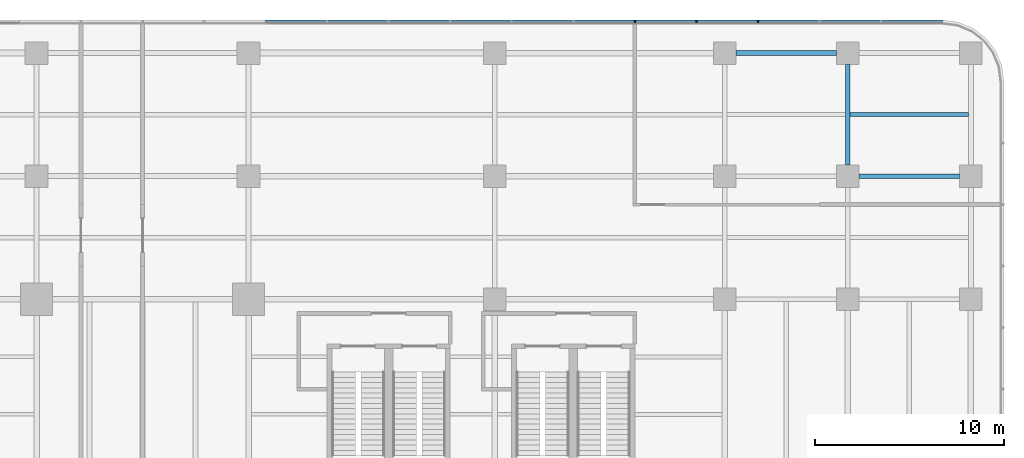
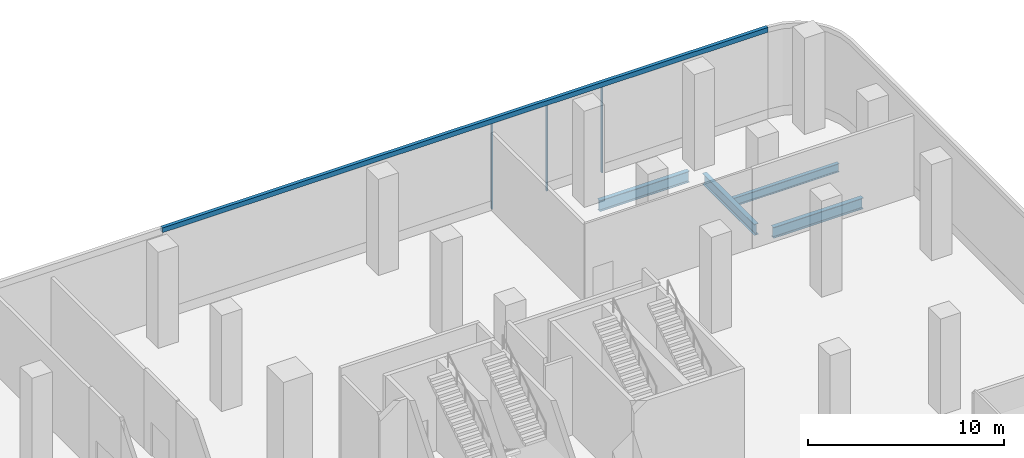
# One storey, part 29 of 41: 4 beams, 4 members, 1 element without a shape of its own.
"""IFC4 building model written with IfcOpenShell, lengths in metres."""

import ifcopenshell
import ifcopenshell.guid

model = None  # the IFC model being written
_history = None  # IfcOwnerHistory: only IFC2X3 demands one
_inside = {}  # id of a spatial element -> (the spatial element, [elements in it])
_under = {}  # id of a project, library or spatial element -> (it, [spatial elements below it])
_declared = {}  # id of a project -> (the project, [libraries it declares])
_typed = {}  # id of a type object -> (the type object, [elements of that type])
_made_of = {}  # id of a material, layer set ... -> (it, [elements and type objects made of it])


def new_model(schema):
    """Start an empty IFC model of exactly this schema.

    Asked for "IFC4X3", IfcOpenShell would pick the latest addendum, in which some entities
    have other attributes; the version numbers below select the first issue.
    IFC2X3 requires an IfcOwnerHistory on every rooted entity: one is made here for all.
    """
    global model, _history
    if schema == "IFC4X3":
        model = ifcopenshell.file(schema_version=(4, 3, 0, 0))
    else:
        model = ifcopenshell.file(schema=schema)
    _inside.clear()
    _under.clear()
    _declared.clear()
    _typed.clear()
    _made_of.clear()
    _history = None
    if model.schema == "IFC2X3":
        org = make("IfcOrganization", Name="unknown")
        user = make(
            "IfcPersonAndOrganization",
            ThePerson=make("IfcPerson", FamilyName="unknown"),
            TheOrganization=org,
        )
        app = make(
            "IfcApplication",
            ApplicationDeveloper=org,
            Version="unknown",
            ApplicationFullName="unknown",
            ApplicationIdentifier="unknown",
        )
        _history = make(
            "IfcOwnerHistory",
            OwningUser=user,
            OwningApplication=app,
            ChangeAction="ADDED",
            CreationDate=0,
        )
    return model


def make(cls, **values):
    """One entity of the class cls with the attributes given. An attribute that is None is left unset."""
    return model.create_entity(
        cls, **{name: value for name, value in values.items() if value is not None}
    )


def rooted(cls, **values):
    """An entity with a GlobalId (a new one), such as an element, a storey or a relation."""
    return make(cls, GlobalId=ifcopenshell.guid.new(), OwnerHistory=_history, **values)


def si_unit(unit_type, name, prefix=None):
    """IfcSIUnit, for example si_unit("LENGTHUNIT", "METRE", prefix="MILLI")."""
    return make("IfcSIUnit", UnitType=unit_type, Prefix=prefix, Name=name)


def assignment(units):
    """IfcUnitAssignment: the units of a project."""
    return None if units is None else make("IfcUnitAssignment", Units=units)


def point(xyz):
    """IfcCartesianPoint."""
    return None if xyz is None else make("IfcCartesianPoint", Coordinates=xyz)


def direction(xyz):
    """IfcDirection."""
    return None if xyz is None else make("IfcDirection", DirectionRatios=xyz)


def frame(location, z_axis=None, x_axis=None):
    """IfcAxis2Placement3D, a coordinate frame: its origin and axes. An axis left out is left unset."""
    return make(
        "IfcAxis2Placement3D",
        Location=point(location),
        Axis=direction(z_axis),
        RefDirection=direction(x_axis),
    )


def frame_2d(location, x_axis=None):
    """IfcAxis2Placement2D, a coordinate frame in the plane: its origin and x axis."""
    return make(
        "IfcAxis2Placement2D", Location=point(location), RefDirection=direction(x_axis)
    )


def origin():
    """The frame at (0, 0, 0) with its axes left unset."""
    return frame((0.0, 0.0, 0.0))


def origin_2d():
    """The frame at (0, 0) in the plane with its x axis left unset."""
    return frame_2d((0.0, 0.0))


def place(relative_to, where):
    """IfcLocalPlacement: puts the frame where relative to a parent placement (None: the world)."""
    return make(
        "IfcLocalPlacement", PlacementRelTo=relative_to, RelativePlacement=where
    )


def context(
    kind, dimensions, precision=None, world=None, true_north=None, identifier=None
):
    """IfcGeometricRepresentationContext, for example the 3D "Model" context."""
    return make(
        "IfcGeometricRepresentationContext",
        ContextIdentifier=identifier,
        ContextType=kind,
        CoordinateSpaceDimension=dimensions,
        Precision=precision,
        WorldCoordinateSystem=world,
        TrueNorth=true_north,
    )


def subcontext(parent, identifier, kind, view, scale=None):
    """IfcGeometricRepresentationSubContext, for example "Body" below "Model"."""
    return make(
        "IfcGeometricRepresentationSubContext",
        ContextIdentifier=identifier,
        ContextType=kind,
        ParentContext=parent,
        TargetScale=scale,
        TargetView=view,
    )


def project(units=None, contexts=None):
    """IfcProject with its units and contexts."""
    return rooted(
        "IfcProject",
        Name="project",
        RepresentationContexts=contexts,
        UnitsInContext=assignment(units),
    )


def spatial(cls, under=None, at=None, **own):
    """A site, building, storey or space (cls), placed at a placement, below another one or the project."""
    s = rooted(cls, ObjectPlacement=at, **own)
    if under is not None:
        _under.setdefault(under.id(), (under, []))[1].append(s)
    return s


def polyline(points):
    """IfcPolyline through the points."""
    return make("IfcPolyline", Points=[point(p) for p in points])


def profile(cls, at=None, kind="AREA", **sizes):
    """A parametric profile (cls). Its sizes go by their IFC names, for example OverallWidth=200.0."""
    return make(cls, ProfileType=kind, Position=at, **sizes)


def rectangle(**sizes):
    """IfcRectangleProfileDef."""
    return profile("IfcRectangleProfileDef", **sizes)


def i_section(**sizes):
    """IfcIShapeProfileDef."""
    return profile("IfcIShapeProfileDef", **sizes)


def outline(outer, holes=None, kind="AREA"):
    """IfcArbitraryClosedProfileDef: a profile drawn as a closed curve; with holes, ...WithVoids."""
    if holes is None:
        return make("IfcArbitraryClosedProfileDef", ProfileType=kind, OuterCurve=outer)
    return make(
        "IfcArbitraryProfileDefWithVoids",
        ProfileType=kind,
        OuterCurve=outer,
        InnerCurves=holes,
    )


def extrude(swept, where, along, depth):
    """IfcExtrudedAreaSolid: the profile swept, set in the frame where, extruded along a direction by depth."""
    return make(
        "IfcExtrudedAreaSolid",
        SweptArea=swept,
        Position=where,
        ExtrudedDirection=direction(along),
        Depth=depth,
    )


def shape(context_of_items, identifier, shape_type, items):
    """IfcShapeRepresentation: the items that make up one representation, for example the "Body"."""
    return make(
        "IfcShapeRepresentation",
        ContextOfItems=context_of_items,
        RepresentationIdentifier=identifier,
        RepresentationType=shape_type,
        Items=items,
    )


def source(mapping_origin, context_of_items, identifier, shape_type, items):
    """IfcRepresentationMap: a shape defined once, which mapped items show again and again."""
    return make(
        "IfcRepresentationMap",
        MappingOrigin=mapping_origin,
        MappedRepresentation=shape(context_of_items, identifier, shape_type, items),
    )


def transform(
    local_origin,
    x_axis=None,
    y_axis=None,
    z_axis=None,
    scale=None,
    scale2=None,
    scale3=None,
    uniform=True,
):
    """IfcCartesianTransformationOperator3D, or its non-uniform kind. x_axis, y_axis, z_axis: its Axis1, 2, 3."""
    if uniform:
        return make(
            "IfcCartesianTransformationOperator3D",
            Axis1=direction(x_axis),
            Axis2=direction(y_axis),
            LocalOrigin=point(local_origin),
            Scale=scale,
            Axis3=direction(z_axis),
        )
    return make(
        "IfcCartesianTransformationOperator3DnonUniform",
        Axis1=direction(x_axis),
        Axis2=direction(y_axis),
        LocalOrigin=point(local_origin),
        Scale=scale,
        Axis3=direction(z_axis),
        Scale2=scale2,
        Scale3=scale3,
    )


def mapped(mapping_source, mapping_target):
    """IfcMappedItem: shows the shape of a source again, moved by a transform."""
    return make(
        "IfcMappedItem", MappingSource=mapping_source, MappingTarget=mapping_target
    )


def material(Name=None, Category=None):
    """IfcMaterial."""
    return make("IfcMaterial", Name=Name, Category=Category)


def layer(
    of_material, thickness, ventilated=None, Name=None, Category=None, Priority=None
):
    """IfcMaterialLayer: one layer of a wall or slab, of a material (None: an air gap)."""
    return make(
        "IfcMaterialLayer",
        Material=of_material,
        LayerThickness=thickness,
        IsVentilated=ventilated,
        Name=Name,
        Category=Category,
        Priority=Priority,
    )


def layer_set(layers, Name=None):
    """IfcMaterialLayerSet."""
    return make("IfcMaterialLayerSet", MaterialLayers=layers, LayerSetName=Name)


def material_profile(
    of_material, cross_section, Name=None, Category=None, Priority=None
):
    """IfcMaterialProfile: a cross section and its material."""
    return make(
        "IfcMaterialProfile",
        Name=Name,
        Material=of_material,
        Profile=cross_section,
        Priority=Priority,
        Category=Category,
    )


def profile_set(profiles, Name=None, composite=None):
    """IfcMaterialProfileSet."""
    return make(
        "IfcMaterialProfileSet",
        Name=Name,
        MaterialProfiles=profiles,
        CompositeProfile=composite,
    )


def made_of(thing, what):
    """Note that an element or type object is made of a material, layer set ...; save() writes the relation."""
    if what is not None:
        _made_of.setdefault(what.id(), (what, []))[1].append(thing)
    return thing


def type_object(cls, material=None, **own):
    """A type object (cls), such as IfcWallType, which elements share."""
    return made_of(rooted(cls, **own), material)


def element(
    cls,
    number,
    at=None,
    inside=None,
    cuts=None,
    type_object=None,
    material=None,
    context=None,
    identifier="Body",
    shape_type=None,
    held_by="IfcProductDefinitionShape",
    body=None,
    shapes=None,
    **own,
):
    """One element of the class cls, such as IfcWall. Its Tag is "e" and its number.

    at: its placement. inside: the storey or other place that contains it. cuts: it is an
    opening in that element (IfcRelVoidsElement). A single representation is given by context,
    identifier, shape_type and body (its items); several are given by shapes. held_by: the class
    of the entity that holds the representations. save() writes the other relations.
    """
    e = rooted(cls, Tag="e%d" % number, ObjectPlacement=at, **own)
    if body is not None:
        shapes = [shape(context, identifier, shape_type, body)]
    if shapes is not None:
        e.Representation = make(held_by, Representations=shapes)
    if inside is not None:
        _inside.setdefault(inside.id(), (inside, []))[1].append(e)
    if cuts is not None:
        rooted(
            "IfcRelVoidsElement", RelatingBuildingElement=cuts, RelatedOpeningElement=e
        )
    if type_object is not None:
        _typed.setdefault(type_object.id(), (type_object, []))[1].append(e)
    return made_of(e, material)


def aggregate(whole, parts):
    """IfcRelAggregates: a whole, such as a stair, and the parts it consists of."""
    return rooted("IfcRelAggregates", RelatingObject=whole, RelatedObjects=parts)


def save(model, path):
    """Write the relations noted so far, then the file.

    IfcRelAggregates (storeys below a building ...), IfcRelContainedInSpatialStructure (elements
    in a storey), IfcRelDefinesByType, IfcRelAssociatesMaterial and IfcRelDeclares: one each for
    every whole, place, type object, material and project.
    """
    for whole, parts in _under.values():
        aggregate(whole, parts)
    for where, things in _inside.values():
        rooted(
            "IfcRelContainedInSpatialStructure",
            RelatedElements=things,
            RelatingStructure=where,
        )
    for kind, things in _typed.values():
        rooted("IfcRelDefinesByType", RelatedObjects=things, RelatingType=kind)
    for what, things in _made_of.values():
        rooted("IfcRelAssociatesMaterial", RelatedObjects=things, RelatingMaterial=what)
    for by, libraries in _declared.values():
        rooted("IfcRelDeclares", RelatingContext=by, RelatedDefinitions=libraries)
    model.write(path)


model = new_model("IFC4")

# Units and contexts
model_context = context("Model", 3, precision=1e-05, world=origin(), true_north=direction((0.0, 1.0)))
body_context = subcontext(model_context, "Body", "Model", "MODEL_VIEW")
ifc_project = project(units=[si_unit("LENGTHUNIT", "METRE"), si_unit("AREAUNIT", "SQUARE_METRE"), si_unit("VOLUMEUNIT", "CUBIC_METRE"), si_unit("PLANEANGLEUNIT", "RADIAN"), si_unit("MASSUNIT", "GRAM", prefix="KILO")], contexts=[model_context])

# Site, building, storey
site_placement = place(None, origin())
site = spatial("IfcSite", under=ifc_project, at=site_placement, CompositionType="ELEMENT")
building_placement = place(site_placement, origin())
building = spatial("IfcBuilding", under=site, at=building_placement, Name="Trellis Farm Tower", CompositionType="ELEMENT")
storey_placement = place(building_placement, frame((0.0, 0.0, 8.0)))
storey = spatial("IfcBuildingStorey", under=building, at=storey_placement, Name="L01", CompositionType="ELEMENT", Elevation=8.0)

# Curtain wall, member
ifc_material_1 = material(Name="Aluminium and glass curtain wall", Category="aluminium")
ifc_layer_1 = layer(ifc_material_1, 0.201904296875)
ifc_layer_set_1 = layer_set([ifc_layer_1], Name="SHOPFRONT CURTAIN WALL CW2")
curtain_wall_type = type_object("IfcCurtainWallType", Name="SHOPFRONT CURTAIN WALL CW2", PredefinedType="NOTDEFINED", material=ifc_layer_set_1)
curtain_wall_placement = place(storey_placement, origin())
curtain_wall = element("IfcCurtainWall", 1, at=curtain_wall_placement, inside=storey, type_object=curtain_wall_type, Name="CW2 003", PredefinedType="NOTDEFINED")
ifc_material_2 = material(Name="Aluminium extrusion 6063-T6", Category="aluminium")
ifc_layer_2 = layer(ifc_material_2, 0.205078125)
ifc_layer_set_2 = layer_set([ifc_layer_2], Name="Aluminium extrusion 6063-T6")
member_type_1 = type_object("IfcMemberType", Name="CW2 TRANSOM 205x300", PredefinedType="USERDEFINED", material=ifc_layer_set_2)
member_1_placement = place(storey_placement, frame((0.0, 0.0, 5.39990234375)))
member_1 = element("IfcMember", 2, at=member_1_placement, type_object=member_type_1, Name="TR2 003", ObjectType="TRANSOM", PredefinedType="USERDEFINED", context=body_context, shape_type="SweptSolid", body=[
    extrude(outline(polyline([(42.25, 45.5), (6.5, 45.5), (6.5, 45.294921875), (42.236572265625, 45.294921875), (42.25, 45.5)])), origin(), (0.0, 0.0, 1.0), 0.300048828125),
])

# Beams
ifc_material_3 = material(Name="Steel S355", Category="steel")
ifc_material_profile_1 = material_profile(ifc_material_3, i_section(OverallWidth=0.253662109375, OverallDepth=0.68359375, WebThickness=0.012451171875, FlangeThickness=0.021728515625, FilletRadius=0.01513671875, at=origin_2d()), Name="UB 686x254x140")
ifc_profile_set_1 = profile_set([ifc_material_profile_1], Name="Steel S355")
beam_type_1 = type_object("IfcBeamType", Name="UB 686x254x140", PredefinedType="BEAM", material=ifc_profile_set_1)
shared_shape_1 = source(origin(), body_context, "Body", "SweptSolid", [
    extrude(i_section(OverallWidth=0.253662109375, OverallDepth=0.68359375, WebThickness=0.012451171875, FlangeThickness=0.021728515625, FilletRadius=0.01513671875, at=origin_2d()), origin(), (0.0, 0.0, 1.0), 5.2998046875),
])
for number, where, z_axis, x_axis, name in (
    (3, (37.85009765625, 37.25, -0.641845703125), (1.0, 0.0, 0.0), (0.0, 1.0, 0.0), "Girder"),
    (4, (31.35009765625, 43.75, -0.641845703125), (1.0, 0.0, 0.0), (0.0, 1.0, 0.0), "Girder"),
    (5, (37.25, 37.85009765625, -0.641845703125), (0.0, 1.0, 0.0), (-1.0, 0.0, 0.0), "Girder"),
):
    element("IfcBeam", number, at=place(storey_placement, frame(where, z_axis=z_axis, x_axis=x_axis)), inside=storey, type_object=beam_type_1, Name=name, PredefinedType="BEAM", context=body_context, shape_type="MappedRepresentation", body=[
        mapped(shared_shape_1, transform((0.0, 0.0, 0.0))),
    ])
ifc_material_profile_2 = material_profile(ifc_material_3, i_section(OverallWidth=0.209228515625, OverallDepth=0.533203125, WebThickness=0.010009765625, FlangeThickness=0.015625, FilletRadius=0.0126953125, at=origin_2d()), Name="UB 533x210x92")
ifc_profile_set_2 = profile_set([ifc_material_profile_2], Name="Steel S355")
beam_type_2 = type_object("IfcBeamType", Name="UB 533x210x92 joist", PredefinedType="JOIST", material=ifc_profile_set_2)
shared_shape_2 = source(origin(), body_context, "Body", "SweptSolid", [
    extrude(i_section(OverallWidth=0.209228515625, OverallDepth=0.533203125, WebThickness=0.010009765625, FlangeThickness=0.015625, FilletRadius=0.0126953125, at=origin_2d()), origin(), (0.0, 0.0, 1.0), 6.24658203125),
])
beam_placement = place(storey_placement, frame((37.376708984375, 40.5, -0.56640625), z_axis=(1.0, 0.0, 0.0), x_axis=(0.0, 1.0, 0.0)))
element("IfcBeam", 6, at=beam_placement, inside=storey, type_object=beam_type_2, Name="Floor beam", PredefinedType="JOIST", context=body_context, shape_type="MappedRepresentation", body=[
    mapped(shared_shape_2, transform((0.0, 0.0, 0.0))),
])

# Member
ifc_material_profile_3 = material_profile(ifc_material_2, rectangle(XDim=0.080078125, YDim=0.14990234375, at=origin_2d()), Name="MULLION 80x150")
ifc_profile_set_3 = profile_set([ifc_material_profile_3], Name="Aluminium extrusion 6063-T6")
member_type_2 = type_object("IfcMemberType", Name="CW2 MULLION 80x150", PredefinedType="MULLION", material=ifc_profile_set_3)
shared_shape_3 = source(origin(), body_context, "Body", "SweptSolid", [
    extrude(rectangle(XDim=0.080078125, YDim=0.14990234375, at=origin_2d()), origin(), (0.0, 0.0, 1.0), 5.39990234375),
])
member_2_placement = place(storey_placement, frame((32.5, 45.425048828125, 0.0), z_axis=(0.0, 0.0, 1.0), x_axis=(-1.0, 0.0, 0.0)))
member_2 = element("IfcMember", 7, at=member_2_placement, type_object=member_type_2, Name="MU2 003-03", PredefinedType="MULLION", context=body_context, shape_type="MappedRepresentation", body=[
    mapped(shared_shape_3, transform((0.0, 0.0, 0.0))),
])

member_3_placement = place(storey_placement, frame((29.25, 45.425048828125, 0.0), z_axis=(0.0, 0.0, 1.0), x_axis=(-1.0, 0.0, 0.0)))
member_3 = element("IfcMember", 8, at=member_3_placement, type_object=member_type_2, Name="MU2 003-04", PredefinedType="MULLION", context=body_context, shape_type="MappedRepresentation", body=[
    mapped(shared_shape_3, transform((0.0, 0.0, 0.0))),
])

member_4_placement = place(storey_placement, frame((26.0, 45.425048828125, 0.0), z_axis=(0.0, 0.0, 1.0), x_axis=(-1.0, 0.0, 0.0)))
member_4 = element("IfcMember", 9, at=member_4_placement, type_object=member_type_2, Name="MU2 003-05", PredefinedType="MULLION", context=body_context, shape_type="MappedRepresentation", body=[
    mapped(shared_shape_3, transform((0.0, 0.0, 0.0))),
])

aggregate(curtain_wall, [member_2, member_3, member_4, member_1])

save(model, "model.ifc")
